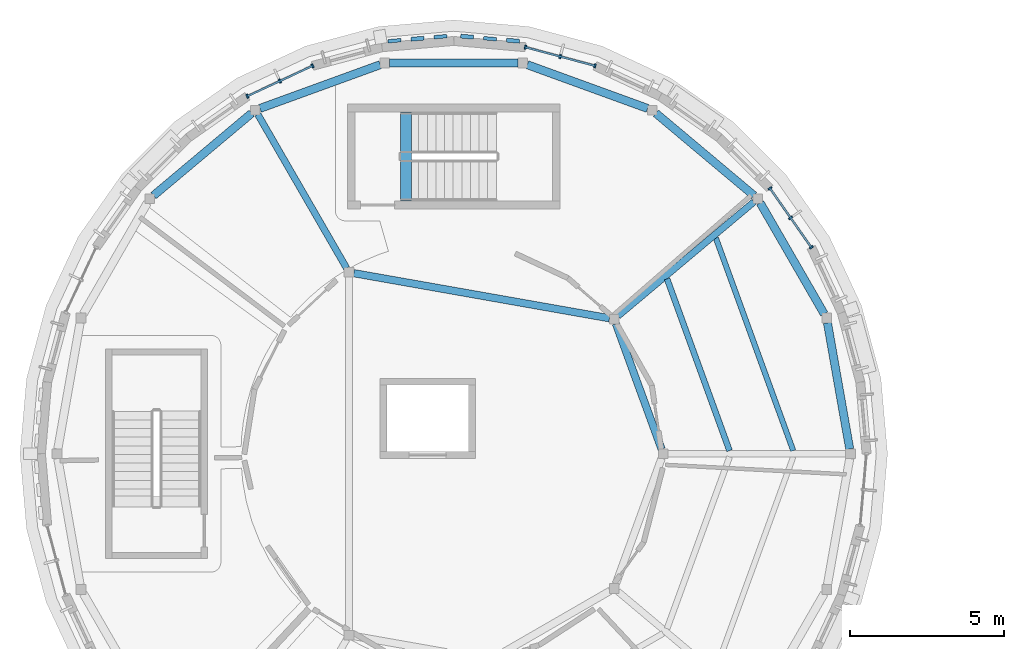
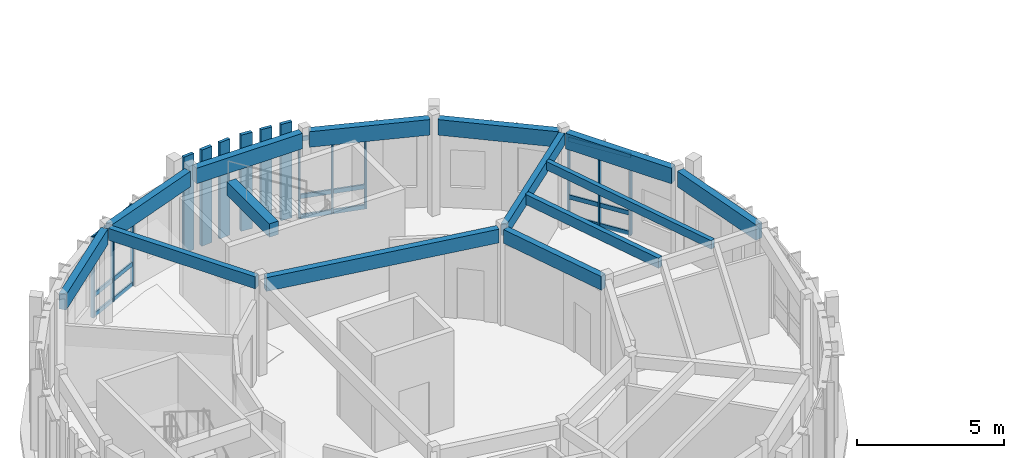
# One storey, part 8 of 37: 24 members, 14 beams, 3 elements without a shape of their own.
"""IFC4 building model written with IfcOpenShell, lengths in metres."""

from ifc_helpers import new_model, si_unit, direction, frame, origin, origin_2d, place, context, subcontext, project, spatial, rectangle, extrude, material, layer, layer_set, material_profile, profile_set, type_object, element, aggregate, save


model = new_model("IFC4")

# Units and contexts
model_context = context("Model", 3, precision=1e-05, world=origin(), true_north=direction((0.0, 1.0)))
body_context = subcontext(model_context, "Body", "Model", "MODEL_VIEW")
ifc_project = project(units=[si_unit("LENGTHUNIT", "METRE"), si_unit("AREAUNIT", "SQUARE_METRE"), si_unit("VOLUMEUNIT", "CUBIC_METRE"), si_unit("PLANEANGLEUNIT", "RADIAN"), si_unit("MASSUNIT", "GRAM", prefix="KILO")], contexts=[model_context])

# Site, building, storey
site_placement = place(None, origin())
site = spatial("IfcSite", under=ifc_project, at=site_placement, CompositionType="ELEMENT")
building_placement = place(site_placement, origin())
building = spatial("IfcBuilding", under=site, at=building_placement, Name="Aldenvaro Health Centre", CompositionType="ELEMENT")
storey_placement = place(building_placement, frame((0.0, 0.0, 12.949951171875)))
storey = spatial("IfcBuildingStorey", under=building, at=storey_placement, Name="L03", CompositionType="ELEMENT", Elevation=12.949951171875)

# Beams
ifc_material_1 = material(Name="Glulam GL28h", Category="wood")
ifc_material_profile_1 = material_profile(ifc_material_1, rectangle(XDim=0.175048828125, YDim=0.35009765625, at=origin_2d()), Name="GL 175x350", Category="wood")
ifc_profile_set_1 = profile_set([ifc_material_profile_1], Name="Glulam GL28h")
beam_type_1 = type_object("IfcBeamType", Name="BM-GL-350", PredefinedType="JOIST", material=ifc_profile_set_1)
beam_1_placement = place(storey_placement, frame((29.51904296875, 99.60107421875, 3.820068359375), z_axis=(-0.341985813082, 0.939705115263, 0.0), x_axis=(-0.939705115263, -0.341985813082, 0.0)))
element("IfcBeam", 1, at=beam_1_placement, inside=storey, type_object=beam_type_1, Name="D4 L03 secondary joist 01.2", PredefinedType="JOIST", context=body_context, shape_type="SweptSolid", body=[
    extrude(rectangle(XDim=0.175048828125, YDim=0.35009765625, at=origin_2d()), origin(), (0.0, 0.0, 1.0), 7.34814453125),
])
ifc_material_profile_2 = material_profile(ifc_material_1, rectangle(XDim=0.18994140625, YDim=0.41796875, at=origin_2d()), Name="GL 190x418", Category="wood")
ifc_profile_set_2 = profile_set([ifc_material_profile_2], Name="Glulam GL28h")
beam_type_2 = type_object("IfcBeamType", Name="BM-GL-418", PredefinedType="JOIST", material=ifc_profile_set_2)
beam_2_placement = place(storey_placement, frame((27.451904296875, 99.60107421875, 3.7861328125), z_axis=(-0.341921455433, 0.939728534373, 0.0), x_axis=(-0.939728534373, -0.341921455433, 0.0)))
element("IfcBeam", 2, at=beam_2_placement, inside=storey, type_object=beam_type_2, Name="D4 L03 secondary joist 01.1", PredefinedType="JOIST", context=body_context, shape_type="SweptSolid", body=[
    extrude(rectangle(XDim=0.18994140625, YDim=0.41796875, at=origin_2d()), origin(), (0.0, 0.0, 1.0), 5.93359375),
])
ifc_material_profile_3 = material_profile(ifc_material_1, rectangle(XDim=0.215087890625, YDim=0.493896484375, at=origin_2d()), Name="GL 215x494", Category="wood")
ifc_profile_set_3 = profile_set([ifc_material_profile_3], Name="Glulam GL28h")
beam_type_3 = type_object("IfcBeamType", Name="BM-GL-494", PredefinedType="BEAM", material=ifc_profile_set_3)
for number, where, z_axis, x_axis, name in (
    (3, (23.830078125, 103.971923828125, 3.748046875), (0.765995106671, 0.642846401994, 0.0), (-0.642846401994, 0.765995106671, 0.0), "D4 L03 radial beam 02"),
    (4, (15.02099609375, 105.52490234375, 3.748046875), (-0.499905742083, 0.866079816779, 0.0), (-0.866079816779, -0.499905742083, 0.0), "D4 L03 radial beam 03"),
):
    element("IfcBeam", number, at=place(storey_placement, frame(where, z_axis=z_axis, x_axis=x_axis)), inside=storey, type_object=beam_type_3, Name=name, PredefinedType="BEAM", context=body_context, shape_type="SweptSolid", body=[
        extrude(rectangle(XDim=0.215087890625, YDim=0.493896484375, at=origin_2d()), origin(), (0.0, 0.0, 1.0), 5.76513671875),
    ])
ifc_material_profile_4 = material_profile(ifc_material_1, rectangle(XDim=0.239990234375, YDim=0.570068359375, at=origin_2d()), Name="GL 240x570", Category="wood")
ifc_profile_set_4 = profile_set([ifc_material_profile_4], Name="Glulam GL28h")
beam_type_4 = type_object("IfcBeamType", Name="BM-GL-570", PredefinedType="BEAM", material=ifc_profile_set_4)
beam_3_placement = place(storey_placement, frame((25.24609375, 99.64794921875, 3.7099609375), z_axis=(-0.342018792103, 0.93969311259, 0.0), x_axis=(-0.93969311259, -0.342018792103, 0.0)))
element("IfcBeam", 5, at=beam_3_placement, inside=storey, type_object=beam_type_4, Name="D4 L03 inner ring beam 01", PredefinedType="BEAM", context=body_context, shape_type="SweptSolid", body=[
    extrude(rectangle(XDim=0.239990234375, YDim=0.570068359375, at=origin_2d()), origin(), (0.0, 0.0, 1.0), 4.33642578125),
])
beam_4_placement = place(storey_placement, frame((23.553955078125, 103.89794921875, 3.7099609375), z_axis=(-0.984792307033, 0.173735753399, 0.0), x_axis=(-0.173735753399, -0.984792307033, 0.0)))
element("IfcBeam", 6, at=beam_4_placement, inside=storey, type_object=beam_type_4, Name="D4 L03 inner ring beam 02", PredefinedType="BEAM", context=body_context, shape_type="SweptSolid", body=[
    extrude(rectangle(XDim=0.239990234375, YDim=0.570068359375, at=origin_2d()), origin(), (0.0, 0.0, 1.0), 8.42724609375),
])
ifc_material_profile_5 = material_profile(ifc_material_1, rectangle(XDim=0.264892578125, YDim=0.64599609375, at=origin_2d()), Name="GL 265x646", Category="wood")
ifc_profile_set_5 = profile_set([ifc_material_profile_5], Name="Glulam GL28h")
beam_type_5 = type_object("IfcBeamType", Name="BM-GL-646", PredefinedType="SPANDREL", material=ifc_profile_set_5)
for number, where, z_axis, x_axis, name in (
    (7, (31.35302734375, 99.655029296875, 3.672119140625), (-0.173902558049, 0.984762865011, 0.0), (-0.984762865011, -0.173902558049, 0.0), "D4 L03 perimeter spandrel 01"),
    (8, (30.52392578125, 104.041015625, 3.672119140625), (-0.499681792437, 0.866209043076, 0.0), (-0.866209043076, -0.499681792437, 0.0), "D4 L03 perimeter spandrel 02"),
):
    element("IfcBeam", number, at=place(storey_placement, frame(where, z_axis=z_axis, x_axis=x_axis)), inside=storey, type_object=beam_type_5, Name=name, PredefinedType="SPANDREL", context=body_context, shape_type="SweptSolid", body=[
        extrude(rectangle(XDim=0.264892578125, YDim=0.64599609375, at=origin_2d()), origin(), (0.0, 0.0, 1.0), 4.158447265625),
    ])
beam_5_placement = place(storey_placement, frame((28.24609375, 107.8798828125, 3.672119140625), z_axis=(-0.765983546938, 0.642860175948, 0.0), x_axis=(-0.642860175948, -0.765983546938, 0.0)))
element("IfcBeam", 9, at=beam_5_placement, inside=storey, type_object=beam_type_5, Name="D4 L03 perimeter spandrel 03", PredefinedType="SPANDREL", context=body_context, shape_type="SweptSolid", body=[
    extrude(rectangle(XDim=0.264892578125, YDim=0.64599609375, at=origin_2d()), origin(), (0.0, 0.0, 1.0), 4.158203125),
])
beam_6_placement = place(storey_placement, frame((24.7919921875, 110.7080078125, 3.672119140625), z_axis=(-0.93970423921, 0.341988220281, 0.0), x_axis=(-0.341988220281, -0.93970423921, 0.0)))
element("IfcBeam", 10, at=beam_6_placement, inside=storey, type_object=beam_type_5, Name="D4 L03 perimeter spandrel 04", PredefinedType="SPANDREL", context=body_context, shape_type="SweptSolid", body=[
    extrude(rectangle(XDim=0.264892578125, YDim=0.64599609375, at=origin_2d()), origin(), (0.0, 0.0, 1.0), 4.15771484375),
])
beam_7_placement = place(storey_placement, frame((20.5791015625, 112.18408203125, 3.672119140625), z_axis=(-1.0, 0.0, 0.0), x_axis=(0.0, -1.0, 0.0)))
element("IfcBeam", 11, at=beam_7_placement, inside=storey, type_object=beam_type_5, Name="D4 L03 perimeter spandrel 05", PredefinedType="SPANDREL", context=body_context, shape_type="SweptSolid", body=[
    extrude(rectangle(XDim=0.264892578125, YDim=0.64599609375, at=origin_2d()), origin(), (0.0, 0.0, 1.0), 4.158203125),
])
beam_8_placement = place(storey_placement, frame((16.114990234375, 112.1298828125, 3.672119140625), z_axis=(-0.93970423921, -0.341988220281, 0.0), x_axis=(0.341988220281, -0.93970423921, 0.0)))
element("IfcBeam", 12, at=beam_8_placement, inside=storey, type_object=beam_type_5, Name="D4 L03 perimeter spandrel 06", PredefinedType="SPANDREL", context=body_context, shape_type="SweptSolid", body=[
    extrude(rectangle(XDim=0.264892578125, YDim=0.64599609375, at=origin_2d()), origin(), (0.0, 0.0, 1.0), 4.15771484375),
])
beam_9_placement = place(storey_placement, frame((11.93896484375, 110.552978515625, 3.672119140625), z_axis=(-0.765983546938, -0.642860175948, 0.0), x_axis=(0.642860175948, -0.765983546938, 0.0)))
element("IfcBeam", 13, at=beam_9_placement, inside=storey, type_object=beam_type_5, Name="D4 L03 perimeter spandrel 07", PredefinedType="SPANDREL", context=body_context, shape_type="SweptSolid", body=[
    extrude(rectangle(XDim=0.264892578125, YDim=0.64599609375, at=origin_2d()), origin(), (0.0, 0.0, 1.0), 4.158203125),
])
ifc_material_2 = material(Name="Concrete f'c 40 MPa", Category="concrete")
ifc_material_profile_6 = material_profile(ifc_material_2, rectangle(XDim=0.35009765625, YDim=0.56005859375, at=origin_2d()), Name="RC 350x560", Category="concrete")
ifc_profile_set_6 = profile_set([ifc_material_profile_6], Name="Concrete f'c 40 MPa")
beam_type_6 = type_object("IfcBeamType", Name="BM-RC-560", PredefinedType="JOIST", material=ifc_profile_set_6)
beam_10_placement = place(storey_placement, frame((16.949951171875, 107.699951171875, 3.920166015625), z_axis=(0.0, 1.0, 0.0), x_axis=(-1.0, 0.0, 0.0)))
element("IfcBeam", 14, at=beam_10_placement, inside=storey, type_object=beam_type_6, Name="ST-07 L04 stair landing trimmer beam", PredefinedType="JOIST", context=body_context, shape_type="SweptSolid", body=[
    extrude(rectangle(XDim=0.35009765625, YDim=0.56005859375, at=origin_2d()), origin(), (0.0, 0.0, 1.0), 2.900146484375),
])

# Curtain wall, members
ifc_material_3 = material(Name="Anodised Aluminium 6063-T6", Category="aluminium")
ifc_layer = layer(ifc_material_3, 0.22509765625, Name="Anodised Aluminium 6063-T6", Category="aluminium")
ifc_layer_set = layer_set([ifc_layer], Name="Anodised Aluminium 6063-T6")
curtain_wall_type = type_object("IfcCurtainWallType", Name="CW-TER-04", PredefinedType="NOTDEFINED", material=ifc_layer_set)
curtain_wall_1_placement = place(storey_placement, origin())
curtain_wall_1 = element("IfcCurtainWall", 15, at=curtain_wall_1_placement, inside=storey, type_object=curtain_wall_type, Name="D4 L03 curtain wall bay 25", PredefinedType="NOTDEFINED")
ifc_material_profile_7 = material_profile(ifc_material_3, rectangle(XDim=0.06005859375, YDim=0.135009765625, at=origin_2d()), Name="ALU 60x135", Category="aluminium")
ifc_profile_set_7 = profile_set([ifc_material_profile_7], Name="Anodised Aluminium 6063-T6")
member_type_1 = type_object("IfcMemberType", Name="CWM-150", PredefinedType="MULLION", material=ifc_profile_set_7)
member_1_placement = place(storey_placement, frame((11.800048828125, 111.10498046875, 0.0), z_axis=(0.0, 0.0, 1.0), x_axis=(0.90633620484, 0.422557314215, 0.0)))
member_1 = element("IfcMember", 16, at=member_1_placement, type_object=member_type_1, Name="D4 L03 curtain wall bay 25 mullion 1", PredefinedType="MULLION", context=body_context, shape_type="SweptSolid", body=[
    extrude(rectangle(XDim=0.06005859375, YDim=0.135009765625, at=origin_2d()), origin(), (0.0, 0.0, 1.0), 3.34912109375),
])
member_2_placement = place(storey_placement, frame((12.85791015625, 111.59912109375, 0.0), z_axis=(0.0, 0.0, 1.0), x_axis=(0.90633620484, 0.422557314215, 0.0)))
member_2 = element("IfcMember", 17, at=member_2_placement, type_object=member_type_1, Name="D4 L03 curtain wall bay 25 mullion 2", PredefinedType="MULLION", context=body_context, shape_type="SweptSolid", body=[
    extrude(rectangle(XDim=0.06005859375, YDim=0.135009765625, at=origin_2d()), origin(), (0.0, 0.0, 1.0), 3.34912109375),
])
member_3_placement = place(storey_placement, frame((13.9169921875, 112.092041015625, 0.0), z_axis=(0.0, 0.0, 1.0), x_axis=(0.90633620484, 0.422557314215, 0.0)))
member_3 = element("IfcMember", 18, at=member_3_placement, type_object=member_type_1, Name="D4 L03 curtain wall bay 25 mullion 3", PredefinedType="MULLION", context=body_context, shape_type="SweptSolid", body=[
    extrude(rectangle(XDim=0.06005859375, YDim=0.135009765625, at=origin_2d()), origin(), (0.0, 0.0, 1.0), 3.34912109375),
])

curtain_wall_2_placement = place(storey_placement, origin())
curtain_wall_2 = element("IfcCurtainWall", 19, at=curtain_wall_2_placement, inside=storey, type_object=curtain_wall_type, Name="D4 L03 curtain wall bay 29", PredefinedType="NOTDEFINED")
member_4_placement = place(storey_placement, frame((20.826904296875, 112.696044921875, 0.0), z_axis=(0.0, 0.0, 1.0), x_axis=(0.965978620089, -0.258621935517, 0.0)))
member_4 = element("IfcMember", 20, at=member_4_placement, type_object=member_type_1, Name="D4 L03 curtain wall bay 29 mullion 1", PredefinedType="MULLION", context=body_context, shape_type="SweptSolid", body=[
    extrude(rectangle(XDim=0.06005859375, YDim=0.135009765625, at=origin_2d()), origin(), (0.0, 0.0, 1.0), 3.34912109375),
])
member_5_placement = place(storey_placement, frame((21.955078125, 112.39404296875, 0.0), z_axis=(0.0, 0.0, 1.0), x_axis=(0.965978620089, -0.258621935517, 0.0)))
member_5 = element("IfcMember", 21, at=member_5_placement, type_object=member_type_1, Name="D4 L03 curtain wall bay 29 mullion 2", PredefinedType="MULLION", context=body_context, shape_type="SweptSolid", body=[
    extrude(rectangle(XDim=0.06005859375, YDim=0.135009765625, at=origin_2d()), origin(), (0.0, 0.0, 1.0), 3.34912109375),
])
member_6_placement = place(storey_placement, frame((23.0830078125, 112.092041015625, 0.0), z_axis=(0.0, 0.0, 1.0), x_axis=(0.965978620089, -0.258621935517, 0.0)))
member_6 = element("IfcMember", 22, at=member_6_placement, type_object=member_type_1, Name="D4 L03 curtain wall bay 29 mullion 3", PredefinedType="MULLION", context=body_context, shape_type="SweptSolid", body=[
    extrude(rectangle(XDim=0.06005859375, YDim=0.135009765625, at=origin_2d()), origin(), (0.0, 0.0, 1.0), 3.34912109375),
])

curtain_wall_3_placement = place(storey_placement, origin())
curtain_wall_3 = element("IfcCurtainWall", 23, at=curtain_wall_3_placement, inside=storey, type_object=curtain_wall_type, Name="D4 L03 curtain wall bay 33", PredefinedType="NOTDEFINED")
member_7_placement = place(storey_placement, frame((28.764892578125, 108.113037109375, 0.0), z_axis=(0.0, 0.0, 1.0), x_axis=(0.573720929857, -0.819050849853, 0.0)))
member_7 = element("IfcMember", 24, at=member_7_placement, type_object=member_type_1, Name="D4 L03 curtain wall bay 33 mullion 1", PredefinedType="MULLION", context=body_context, shape_type="SweptSolid", body=[
    extrude(rectangle(XDim=0.06005859375, YDim=0.135009765625, at=origin_2d()), origin(), (0.0, 0.0, 1.0), 3.34912109375),
])
member_8_placement = place(storey_placement, frame((29.43505859375, 107.156005859375, 0.0), z_axis=(0.0, 0.0, 1.0), x_axis=(0.573720929857, -0.819050849853, 0.0)))
member_8 = element("IfcMember", 25, at=member_8_placement, type_object=member_type_1, Name="D4 L03 curtain wall bay 33 mullion 2", PredefinedType="MULLION", context=body_context, shape_type="SweptSolid", body=[
    extrude(rectangle(XDim=0.06005859375, YDim=0.135009765625, at=origin_2d()), origin(), (0.0, 0.0, 1.0), 3.34912109375),
])
member_9_placement = place(storey_placement, frame((30.10498046875, 106.199951171875, 0.0), z_axis=(0.0, 0.0, 1.0), x_axis=(0.573720929857, -0.819050849853, 0.0)))
member_9 = element("IfcMember", 26, at=member_9_placement, type_object=member_type_1, Name="D4 L03 curtain wall bay 33 mullion 3", PredefinedType="MULLION", context=body_context, shape_type="SweptSolid", body=[
    extrude(rectangle(XDim=0.06005859375, YDim=0.135009765625, at=origin_2d()), origin(), (0.0, 0.0, 1.0), 3.34912109375),
])

# Member
ifc_material_profile_8 = material_profile(ifc_material_3, rectangle(XDim=0.06494140625, YDim=0.179931640625, at=origin_2d()), Name="ALU 65x180", Category="aluminium")
ifc_profile_set_8 = profile_set([ifc_material_profile_8], Name="Anodised Aluminium 6063-T6")
member_type_2 = type_object("IfcMemberType", Name="CWT-150", PredefinedType="USERDEFINED", material=ifc_profile_set_8)
member_10_placement = place(storey_placement, frame((11.800048828125, 111.10498046875, 0.06005859375), z_axis=(0.906321946979, 0.422587894318, 0.0), x_axis=(-0.422587894318, 0.906321946979, 0.0)))
member_10 = element("IfcMember", 27, at=member_10_placement, type_object=member_type_2, Name="D4 L03 curtain wall bay 25 transom 1", ObjectType="TRANSOM", PredefinedType="USERDEFINED", context=body_context, shape_type="SweptSolid", body=[
    extrude(rectangle(XDim=0.06494140625, YDim=0.179931640625, at=origin_2d()), origin(), (0.0, 0.0, 1.0), 2.335693359375),
])

member_11_placement = place(storey_placement, frame((11.800048828125, 111.10498046875, 0.900146484375), z_axis=(0.906321946979, 0.422587894318, 0.0), x_axis=(-0.422587894318, 0.906321946979, 0.0)))
member_11 = element("IfcMember", 28, at=member_11_placement, type_object=member_type_2, Name="D4 L03 curtain wall bay 25 transom 2", ObjectType="TRANSOM", PredefinedType="USERDEFINED", context=body_context, shape_type="SweptSolid", body=[
    extrude(rectangle(XDim=0.06494140625, YDim=0.179931640625, at=origin_2d()), origin(), (0.0, 0.0, 1.0), 2.335693359375),
])

member_12_placement = place(storey_placement, frame((11.800048828125, 111.10498046875, 3.2890625), z_axis=(0.906321946979, 0.422587894318, 0.0), x_axis=(-0.422587894318, 0.906321946979, 0.0)))
member_12 = element("IfcMember", 29, at=member_12_placement, type_object=member_type_2, Name="D4 L03 curtain wall bay 25 transom 3", ObjectType="TRANSOM", PredefinedType="USERDEFINED", context=body_context, shape_type="SweptSolid", body=[
    extrude(rectangle(XDim=0.06494140625, YDim=0.179931640625, at=origin_2d()), origin(), (0.0, 0.0, 1.0), 2.335693359375),
])

aggregate(curtain_wall_1, [member_1, member_2, member_3, member_10, member_11, member_12])

member_13_placement = place(storey_placement, frame((20.826904296875, 112.696044921875, 0.06005859375), z_axis=(0.965981166673, -0.258612423585, 0.0), x_axis=(0.258612423585, 0.965981166673, 0.0)))
member_13 = element("IfcMember", 30, at=member_13_placement, type_object=member_type_2, Name="D4 L03 curtain wall bay 29 transom 1", ObjectType="TRANSOM", PredefinedType="USERDEFINED", context=body_context, shape_type="SweptSolid", body=[
    extrude(rectangle(XDim=0.06494140625, YDim=0.179931640625, at=origin_2d()), origin(), (0.0, 0.0, 1.0), 2.33544921875),
])

member_14_placement = place(storey_placement, frame((20.826904296875, 112.696044921875, 0.900146484375), z_axis=(0.965981166673, -0.258612423585, 0.0), x_axis=(0.258612423585, 0.965981166673, 0.0)))
member_14 = element("IfcMember", 31, at=member_14_placement, type_object=member_type_2, Name="D4 L03 curtain wall bay 29 transom 2", ObjectType="TRANSOM", PredefinedType="USERDEFINED", context=body_context, shape_type="SweptSolid", body=[
    extrude(rectangle(XDim=0.06494140625, YDim=0.179931640625, at=origin_2d()), origin(), (0.0, 0.0, 1.0), 2.33544921875),
])

member_15_placement = place(storey_placement, frame((20.826904296875, 112.696044921875, 3.2890625), z_axis=(0.965981166673, -0.258612423585, 0.0), x_axis=(0.258612423585, 0.965981166673, 0.0)))
member_15 = element("IfcMember", 32, at=member_15_placement, type_object=member_type_2, Name="D4 L03 curtain wall bay 29 transom 3", ObjectType="TRANSOM", PredefinedType="USERDEFINED", context=body_context, shape_type="SweptSolid", body=[
    extrude(rectangle(XDim=0.06494140625, YDim=0.179931640625, at=origin_2d()), origin(), (0.0, 0.0, 1.0), 2.33544921875),
])

aggregate(curtain_wall_2, [member_4, member_5, member_6, member_13, member_14, member_15])

member_16_placement = place(storey_placement, frame((28.764892578125, 108.113037109375, 0.06005859375), z_axis=(0.573728883722, -0.819045278347, 0.0), x_axis=(0.819045278347, 0.573728883722, 0.0)))
member_16 = element("IfcMember", 33, at=member_16_placement, type_object=member_type_2, Name="D4 L03 curtain wall bay 33 transom 1", ObjectType="TRANSOM", PredefinedType="USERDEFINED", context=body_context, shape_type="SweptSolid", body=[
    extrude(rectangle(XDim=0.06494140625, YDim=0.179931640625, at=origin_2d()), origin(), (0.0, 0.0, 1.0), 2.335693359375),
])

member_17_placement = place(storey_placement, frame((28.764892578125, 108.113037109375, 0.900146484375), z_axis=(0.573728883722, -0.819045278347, 0.0), x_axis=(0.819045278347, 0.573728883722, 0.0)))
member_17 = element("IfcMember", 34, at=member_17_placement, type_object=member_type_2, Name="D4 L03 curtain wall bay 33 transom 2", ObjectType="TRANSOM", PredefinedType="USERDEFINED", context=body_context, shape_type="SweptSolid", body=[
    extrude(rectangle(XDim=0.06494140625, YDim=0.179931640625, at=origin_2d()), origin(), (0.0, 0.0, 1.0), 2.335693359375),
])

member_18_placement = place(storey_placement, frame((28.764892578125, 108.113037109375, 3.2890625), z_axis=(0.573728883722, -0.819045278347, 0.0), x_axis=(0.819045278347, 0.573728883722, 0.0)))
member_18 = element("IfcMember", 35, at=member_18_placement, type_object=member_type_2, Name="D4 L03 curtain wall bay 33 transom 3", ObjectType="TRANSOM", PredefinedType="USERDEFINED", context=body_context, shape_type="SweptSolid", body=[
    extrude(rectangle(XDim=0.06494140625, YDim=0.179931640625, at=origin_2d()), origin(), (0.0, 0.0, 1.0), 2.335693359375),
])

aggregate(curtain_wall_3, [member_7, member_8, member_9, member_16, member_17, member_18])

# Members
ifc_material_profile_9 = material_profile(ifc_material_1, rectangle(XDim=0.114990234375, YDim=0.419921875, at=origin_2d()), Name="GL 115x420", Category="wood")
ifc_profile_set_9 = profile_set([ifc_material_profile_9], Name="Glulam GL28h")
member_type_3 = type_object("IfcMemberType", Name="MEM-SLT-420A", PredefinedType="POST", material=ifc_profile_set_9)
for number, where, z_axis, x_axis, name in (
    (36, (16.575927734375, 112.906982421875, 0.0), (0.0, 0.0, 1.0), (-0.087331575855, 0.996179299052, 0.0), "D4 L03 vertical timber slat 27.1"),
    (37, (18.06591796875, 113.0380859375, 0.0), (0.0, 0.0, 1.0), (-0.087331575855, 0.996179299052, 0.0), "D4 L03 vertical timber slat 27.3"),
    (38, (19.678955078125, 112.971923828125, 0.0), (0.0, 0.0, 1.0), (0.087331575855, 0.996179299052, 0.0), "D4 L03 vertical timber slat 28.2"),
):
    element("IfcMember", number, at=place(storey_placement, frame(where, z_axis=z_axis, x_axis=x_axis)), inside=storey, type_object=member_type_3, Name=name, PredefinedType="POST", context=body_context, shape_type="SweptSolid", body=[
        extrude(rectangle(XDim=0.114990234375, YDim=0.419921875, at=origin_2d()), origin(), (0.0, 0.0, 1.0), 3.9951171875),
    ])
ifc_material_profile_10 = material_profile(ifc_material_1, rectangle(XDim=0.1298828125, YDim=0.419921875, at=origin_2d()), Name="GL 130x420", Category="wood")
ifc_profile_set_10 = profile_set([ifc_material_profile_10], Name="Glulam GL28h")
member_type_4 = type_object("IfcMemberType", Name="MEM-SLT-420B", PredefinedType="POST", material=ifc_profile_set_10)
for number, where, z_axis, x_axis, name in (
    (39, (17.321044921875, 112.971923828125, 0.0), (0.0, 0.0, 1.0), (-0.087331575855, 0.996179299052, 0.0), "D4 L03 vertical timber slat 27.2"),
    (40, (18.93408203125, 113.0380859375, 0.0), (0.0, 0.0, 1.0), (0.087331575855, 0.996179299052, 0.0), "D4 L03 vertical timber slat 28.1"),
    (41, (20.424072265625, 112.906982421875, 0.0), (0.0, 0.0, 1.0), (0.087331575855, 0.996179299052, 0.0), "D4 L03 vertical timber slat 28.3"),
):
    element("IfcMember", number, at=place(storey_placement, frame(where, z_axis=z_axis, x_axis=x_axis)), inside=storey, type_object=member_type_4, Name=name, PredefinedType="POST", context=body_context, shape_type="SweptSolid", body=[
        extrude(rectangle(XDim=0.1298828125, YDim=0.419921875, at=origin_2d()), origin(), (0.0, 0.0, 1.0), 3.9951171875),
    ])

save(model, "model.ifc")
